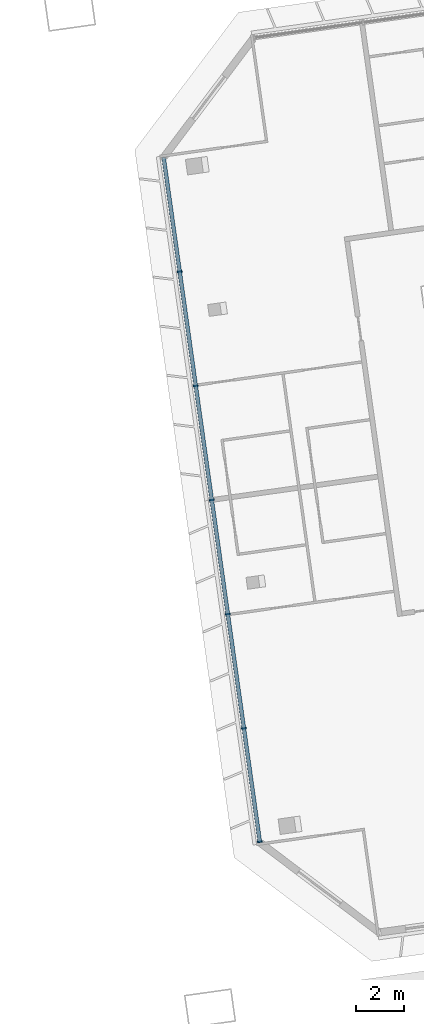
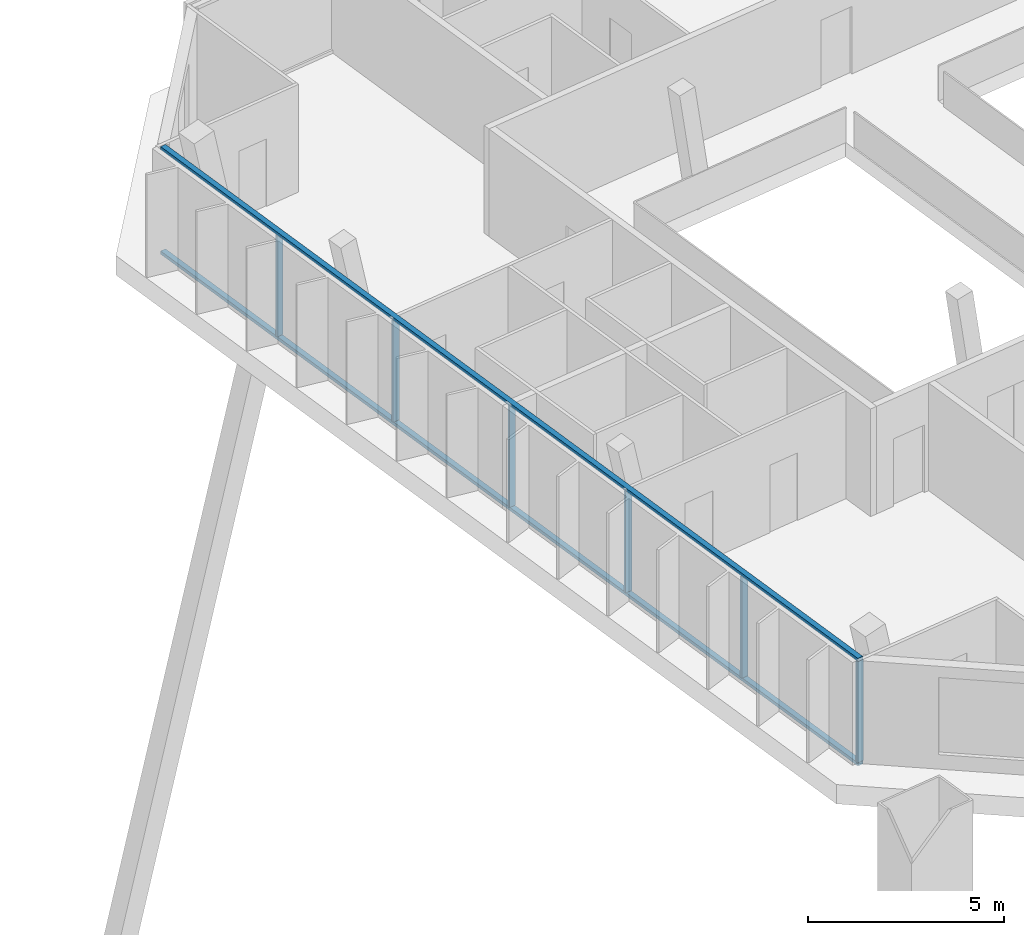
# One storey, part 11 of 28: 8 members, 1 element without a shape of its own.
"""IFC4 building model written with IfcOpenShell, lengths in metres."""

from ifc_helpers import new_model, si_unit, direction, frame, origin, origin_2d, place, context, subcontext, project, spatial, rectangle, extrude, material, material_profile, profile_set, type_object, element, aggregate, save


model = new_model("IFC4")

# Units and contexts
model_context = context("Model", 3, precision=1e-05, world=origin(), true_north=direction((0.0, 1.0)))
body_context = subcontext(model_context, "Body", "Model", "MODEL_VIEW")
ifc_project = project(units=[si_unit("LENGTHUNIT", "METRE"), si_unit("AREAUNIT", "SQUARE_METRE"), si_unit("VOLUMEUNIT", "CUBIC_METRE"), si_unit("PLANEANGLEUNIT", "RADIAN"), si_unit("MASSUNIT", "GRAM", prefix="KILO")], contexts=[model_context])

# Site, building, storey
site_placement = place(None, origin())
site = spatial("IfcSite", under=ifc_project, at=site_placement, CompositionType="ELEMENT")
building_placement = place(site_placement, origin())
building = spatial("IfcBuilding", under=site, at=building_placement, Name="Mirante Cascada Hotel Towers", CompositionType="ELEMENT")
storey_placement = place(building_placement, frame((0.0, 0.0, 243.2)))
storey = spatial("IfcBuildingStorey", under=building, at=storey_placement, Name="L58", CompositionType="ELEMENT", Elevation=243.2)

# Curtain wall, members
ifc_material_1 = material(Name="Aluminium mullion and transom frame with clear laminated glass", Category="aluminium")
curtain_wall_type = type_object("IfcCurtainWallType", Name="End ribbon curtain wall ECW2", PredefinedType="NOTDEFINED", material=ifc_material_1)
curtain_wall_placement = place(storey_placement, origin())
curtain_wall = element("IfcCurtainWall", 1, at=curtain_wall_placement, inside=storey, type_object=curtain_wall_type, Name="Inner end wall T2 L58", PredefinedType="NOTDEFINED")
ifc_material_2 = material(Name="Anodised aluminium extrusion", Category="aluminium")
ifc_material_profile_1 = material_profile(ifc_material_2, rectangle(XDim=0.2, YDim=0.065, at=origin_2d()), Name="ECW2 MULLION 65x200")
ifc_profile_set_1 = profile_set([ifc_material_profile_1], Name="Anodised aluminium extrusion")
member_type_1 = type_object("IfcMemberType", Name="ECW2 mullion 65x200", PredefinedType="MULLION", material=ifc_profile_set_1)
member_1_placement = place(storey_placement, frame((18.8567, 6.1538, 0.1), z_axis=(0.0, 0.0, 1.0), x_axis=(0.9902681, 0.1391731, 0.0)))
member_1 = element("IfcMember", 2, at=member_1_placement, type_object=member_type_1, Name="ECW2 mullion 2", PredefinedType="MULLION", context=body_context, shape_type="SweptSolid", body=[
    extrude(rectangle(XDim=0.2, YDim=0.065, at=origin_2d()), origin(), (0.0, 0.0, 1.0), 3.15),
])
member_2_placement = place(storey_placement, frame((19.5265, 1.388, 0.1), z_axis=(0.0, 0.0, 1.0), x_axis=(0.9902681, 0.1391731, 0.0)))
member_2 = element("IfcMember", 3, at=member_2_placement, type_object=member_type_1, Name="ECW2 mullion 3", PredefinedType="MULLION", context=body_context, shape_type="SweptSolid", body=[
    extrude(rectangle(XDim=0.2, YDim=0.065, at=origin_2d()), origin(), (0.0, 0.0, 1.0), 3.15),
])
member_3_placement = place(storey_placement, frame((20.1963, -3.3778, 0.1), z_axis=(0.0, 0.0, 1.0), x_axis=(0.9902681, 0.1391731, 0.0)))
member_3 = element("IfcMember", 4, at=member_3_placement, type_object=member_type_1, Name="ECW2 mullion 4", PredefinedType="MULLION", context=body_context, shape_type="SweptSolid", body=[
    extrude(rectangle(XDim=0.2, YDim=0.065, at=origin_2d()), origin(), (0.0, 0.0, 1.0), 3.15),
])
member_4_placement = place(storey_placement, frame((20.8661, -8.1436, 0.1), z_axis=(0.0, 0.0, 1.0), x_axis=(0.9902681, 0.1391731, 0.0)))
member_4 = element("IfcMember", 5, at=member_4_placement, type_object=member_type_1, Name="ECW2 mullion 5", PredefinedType="MULLION", context=body_context, shape_type="SweptSolid", body=[
    extrude(rectangle(XDim=0.2, YDim=0.065, at=origin_2d()), origin(), (0.0, 0.0, 1.0), 3.15),
])
member_5_placement = place(storey_placement, frame((21.5359, -12.9094, 0.1), z_axis=(0.0, 0.0, 1.0), x_axis=(0.9902681, 0.1391731, 0.0)))
member_5 = element("IfcMember", 6, at=member_5_placement, type_object=member_type_1, Name="ECW2 mullion 6", PredefinedType="MULLION", context=body_context, shape_type="SweptSolid", body=[
    extrude(rectangle(XDim=0.2, YDim=0.065, at=origin_2d()), origin(), (0.0, 0.0, 1.0), 3.15),
])
member_6_placement = place(storey_placement, frame((22.2011, -17.643, 0.1), z_axis=(0.0, 0.0, 1.0), x_axis=(0.9902681, 0.1391731, 0.0)))
member_6 = element("IfcMember", 7, at=member_6_placement, type_object=member_type_1, Name="ECW2 mullion 7", PredefinedType="MULLION", context=body_context, shape_type="SweptSolid", body=[
    extrude(rectangle(XDim=0.2, YDim=0.065, at=origin_2d()), origin(), (0.0, 0.0, 1.0), 3.15),
])
ifc_material_3 = material(Name="Anodised aluminium extrusion", Category="aluminium")
ifc_material_profile_2 = material_profile(ifc_material_3, rectangle(XDim=0.16, YDim=0.1, at=origin_2d()), Name="ECW2 TRANSOM 100x160")
ifc_profile_set_2 = profile_set([ifc_material_profile_2], Name="Anodised aluminium extrusion")
member_type_2 = type_object("IfcMemberType", Name="ECW2 transom 100x160", PredefinedType="USERDEFINED", material=ifc_profile_set_2)
member_7_placement = place(storey_placement, frame((18.1869, 10.9195, 0.05), z_axis=(0.1391723, -0.9902682, 0.0), x_axis=(0.9902682, 0.1391723, 0.0)))
member_7 = element("IfcMember", 8, at=member_7_placement, type_object=member_type_2, Name="ECW2 sill transom", ObjectType="TRANSOM", PredefinedType="USERDEFINED", context=body_context, shape_type="SweptSolid", body=[
    extrude(rectangle(XDim=0.16, YDim=0.1, at=origin_2d()), origin(), (0.0, 0.0, 1.0), 28.8757),
])
member_8_placement = place(storey_placement, frame((18.1869, 10.9195, 3.3), z_axis=(0.1391723, -0.9902682, 0.0), x_axis=(0.9902682, 0.1391723, 0.0)))
member_8 = element("IfcMember", 9, at=member_8_placement, type_object=member_type_2, Name="ECW2 head transom", ObjectType="TRANSOM", PredefinedType="USERDEFINED", context=body_context, shape_type="SweptSolid", body=[
    extrude(rectangle(XDim=0.16, YDim=0.1, at=origin_2d()), origin(), (0.0, 0.0, 1.0), 28.8757),
])
aggregate(curtain_wall, [member_7, member_8, member_1, member_2, member_3, member_4, member_5, member_6])

save(model, "model.ifc")
